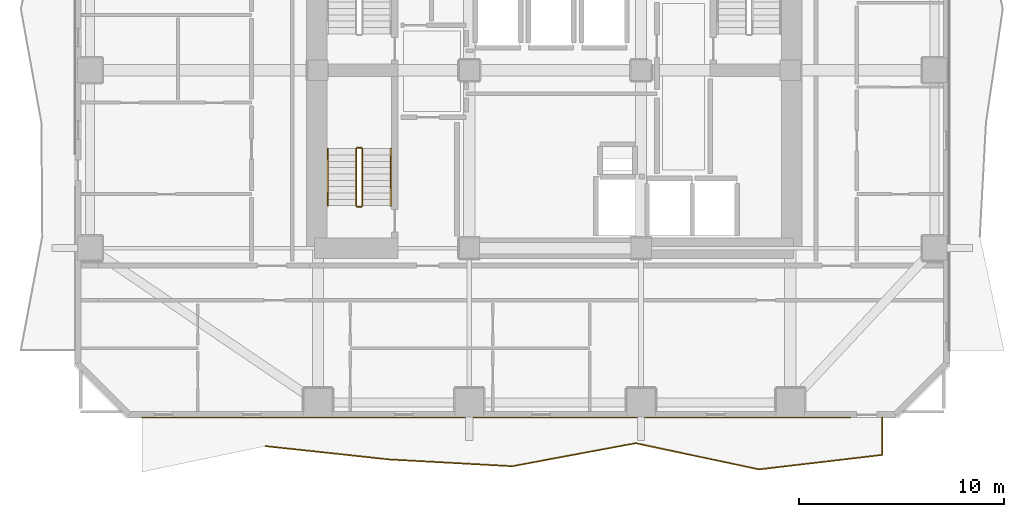
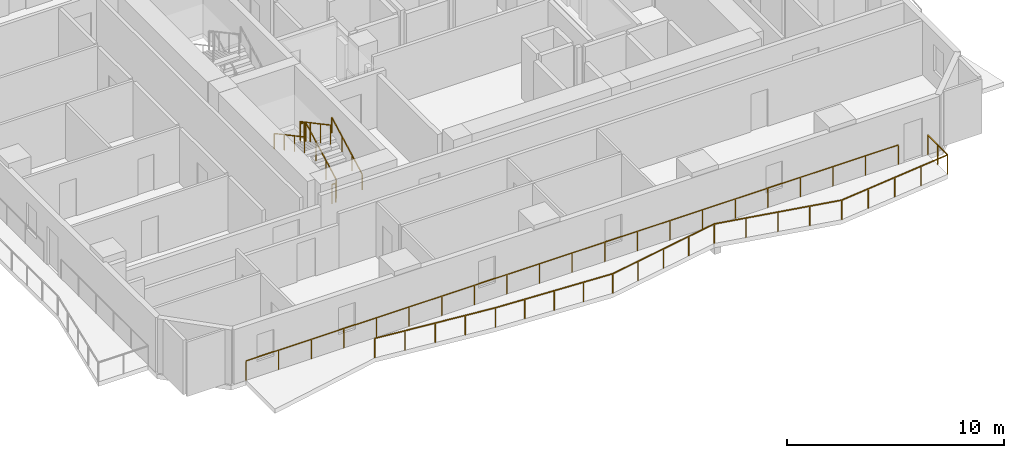
# One storey, part 7 of 10: 8 railings.
"""IFC4 building model written with IfcOpenShell, lengths in metres."""

from ifc_helpers import new_model, si_unit, direction, frame, origin, origin_2d, place, context, subcontext, project, spatial, rectangle, extrude, material, type_object, element, save


model = new_model("IFC4")

# Units and contexts
model_context = context("Model", 3, precision=1e-05, world=origin(), true_north=direction((0.0, 1.0)))
body_context = subcontext(model_context, "Body", "Model", "MODEL_VIEW")
ifc_project = project(units=[si_unit("LENGTHUNIT", "METRE"), si_unit("AREAUNIT", "SQUARE_METRE"), si_unit("VOLUMEUNIT", "CUBIC_METRE"), si_unit("PLANEANGLEUNIT", "RADIAN"), si_unit("MASSUNIT", "GRAM", prefix="KILO")], contexts=[model_context])

# Site, building, storey
site_placement = place(None, origin())
site = spatial("IfcSite", under=ifc_project, at=site_placement, CompositionType="ELEMENT")
building_placement = place(site_placement, origin())
building = spatial("IfcBuilding", under=site, at=building_placement, Name="Solanera Arch Residences", CompositionType="ELEMENT")
storey_placement = place(building_placement, frame((0.0, 0.0, 99.43994140625)))
storey = spatial("IfcBuildingStorey", under=building, at=storey_placement, Name="L28", CompositionType="ELEMENT", Elevation=99.43994140625)

# Railings
ifc_material_1 = material(Name="Steel S355 (ASTM A992 / A572 Grade 50)", Category="steel")
railing_type_1 = type_object("IfcRailingType", Name="Balustrade Railing BL-1100", PredefinedType="BALUSTRADE", material=ifc_material_1)
railing_1_placement = place(storey_placement, frame((10.8330078125, 12.318115234375, 0.0)))
element("IfcRailing", 1, at=railing_1_placement, inside=storey, type_object=railing_type_1, Name="L28 S Balcony Balustrade 1", PredefinedType="BALUSTRADE", context=body_context, shape_type="SweptSolid", body=[
    extrude(rectangle(XDim=0.048095703125, YDim=0.048095703125, at=origin_2d()), frame((0.0, 0.0, 1.09619140625), z_axis=(0.994228057323, -0.107287324656, 0.0), x_axis=(0.107287324656, 0.994228057323, 0.0)), (0.0, 0.0, 1.0), 6.06884765625),
    extrude(rectangle(XDim=0.048095703125, YDim=0.048095703125, at=origin_2d()), frame((6.033935546875, -0.651123046875, 1.09619140625), z_axis=(0.998488939187, -0.054953055615, 0.0), x_axis=(0.054953055615, 0.998488939187, 0.0)), (0.0, 0.0, 1.0), 6.0419921875),
    extrude(rectangle(XDim=0.048095703125, YDim=0.048095703125, at=origin_2d()), frame((12.06689453125, -0.983154296875, 1.09619140625), z_axis=(0.983026753889, 0.183462260802, 0.0), x_axis=(-0.183462260802, 0.983026753889, 0.0)), (0.0, 0.0, 1.0), 6.137451171875),
    extrude(rectangle(XDim=0.048095703125, YDim=0.048095703125, at=origin_2d()), frame((18.10009765625, 0.142822265625, 1.09619140625), z_axis=(0.978198566035, -0.207671773255, 0.0), x_axis=(0.207671773255, 0.978198566035, 0.0)), (0.0, 0.0, 1.0), 6.16845703125),
    extrude(rectangle(XDim=0.048095703125, YDim=0.048095703125, at=origin_2d()), frame((24.134033203125, -1.13818359375, 1.09619140625), z_axis=(0.993165410854, 0.116715323262, 0.0), x_axis=(-0.116715323262, 0.993165410854, 0.0)), (0.0, 0.0, 1.0), 6.074462890625),
    extrude(rectangle(XDim=0.048095703125, YDim=0.048095703125, at=origin_2d()), frame((30.1669921875, -0.42919921875, 1.09619140625), z_axis=(0.0, 1.0, 0.0), x_axis=(-1.0, 0.0, 0.0)), (0.0, 0.0, 1.0), 1.8310546875),
    extrude(rectangle(XDim=0.0419921875, YDim=0.0419921875, at=origin_2d()), origin(), (0.0, 0.0, 1.0), 1.072021484375),
    extrude(rectangle(XDim=0.0419921875, YDim=0.0419921875, at=origin_2d()), frame((1.508544921875, -0.162841796875, 0.0)), (0.0, 0.0, 1.0), 1.072021484375),
    extrude(rectangle(XDim=0.0419921875, YDim=0.0419921875, at=origin_2d()), frame((3.01708984375, -0.32568359375, 0.0)), (0.0, 0.0, 1.0), 1.072021484375),
    extrude(rectangle(XDim=0.0419921875, YDim=0.0419921875, at=origin_2d()), frame((4.525390625, -0.48828125, 0.0)), (0.0, 0.0, 1.0), 1.072021484375),
    extrude(rectangle(XDim=0.0419921875, YDim=0.0419921875, at=origin_2d()), frame((6.033935546875, -0.651123046875, 0.0)), (0.0, 0.0, 1.0), 1.072021484375),
    extrude(rectangle(XDim=0.0419921875, YDim=0.0419921875, at=origin_2d()), frame((7.542236328125, -0.734130859375, 0.0)), (0.0, 0.0, 1.0), 1.072021484375),
    extrude(rectangle(XDim=0.0419921875, YDim=0.0419921875, at=origin_2d()), frame((9.05029296875, -0.817138671875, 0.0)), (0.0, 0.0, 1.0), 1.072021484375),
    extrude(rectangle(XDim=0.0419921875, YDim=0.0419921875, at=origin_2d()), frame((10.55859375, -0.900146484375, 0.0)), (0.0, 0.0, 1.0), 1.072021484375),
    extrude(rectangle(XDim=0.0419921875, YDim=0.0419921875, at=origin_2d()), frame((12.06689453125, -0.983154296875, 0.0)), (0.0, 0.0, 1.0), 1.072021484375),
    extrude(rectangle(XDim=0.0419921875, YDim=0.0419921875, at=origin_2d()), frame((13.5751953125, -0.70166015625, 0.0)), (0.0, 0.0, 1.0), 1.072021484375),
    extrude(rectangle(XDim=0.0419921875, YDim=0.0419921875, at=origin_2d()), frame((15.08349609375, -0.420166015625, 0.0)), (0.0, 0.0, 1.0), 1.072021484375),
    extrude(rectangle(XDim=0.0419921875, YDim=0.0419921875, at=origin_2d()), frame((16.591796875, -0.138671875, 0.0)), (0.0, 0.0, 1.0), 1.072021484375),
    extrude(rectangle(XDim=0.0419921875, YDim=0.0419921875, at=origin_2d()), frame((18.10009765625, 0.142822265625, 0.0)), (0.0, 0.0, 1.0), 1.072021484375),
    extrude(rectangle(XDim=0.0419921875, YDim=0.0419921875, at=origin_2d()), frame((19.608642578125, -0.177490234375, 0.0)), (0.0, 0.0, 1.0), 1.072021484375),
    extrude(rectangle(XDim=0.0419921875, YDim=0.0419921875, at=origin_2d()), frame((21.1171875, -0.49755859375, 0.0)), (0.0, 0.0, 1.0), 1.072021484375),
    extrude(rectangle(XDim=0.0419921875, YDim=0.0419921875, at=origin_2d()), frame((22.62548828125, -0.81787109375, 0.0)), (0.0, 0.0, 1.0), 1.072021484375),
    extrude(rectangle(XDim=0.0419921875, YDim=0.0419921875, at=origin_2d()), frame((24.134033203125, -1.13818359375, 0.0)), (0.0, 0.0, 1.0), 1.072021484375),
    extrude(rectangle(XDim=0.0419921875, YDim=0.0419921875, at=origin_2d()), frame((25.642333984375, -0.9609375, 0.0)), (0.0, 0.0, 1.0), 1.072021484375),
    extrude(rectangle(XDim=0.0419921875, YDim=0.0419921875, at=origin_2d()), frame((27.150390625, -0.78369140625, 0.0)), (0.0, 0.0, 1.0), 1.072021484375),
    extrude(rectangle(XDim=0.0419921875, YDim=0.0419921875, at=origin_2d()), frame((28.65869140625, -0.6064453125, 0.0)), (0.0, 0.0, 1.0), 1.072021484375),
    extrude(rectangle(XDim=0.0419921875, YDim=0.0419921875, at=origin_2d()), frame((30.1669921875, -0.42919921875, 0.0)), (0.0, 0.0, 1.0), 1.072021484375),
    extrude(rectangle(XDim=0.0419921875, YDim=0.0419921875, at=origin_2d()), frame((30.1669921875, 0.486328125, 0.0)), (0.0, 0.0, 1.0), 1.072021484375),
    extrude(rectangle(XDim=0.0419921875, YDim=0.0419921875, at=origin_2d()), frame((30.1669921875, 1.40185546875, 0.0)), (0.0, 0.0, 1.0), 1.072021484375),
])
railing_2_placement = place(storey_placement, frame((39.43408203125, 13.719970703125, 0.0)))
element("IfcRailing", 2, at=railing_2_placement, inside=storey, type_object=railing_type_1, Name="L28 S Balcony Balustrade 2", PredefinedType="BALUSTRADE", context=body_context, shape_type="SweptSolid", body=[
    extrude(rectangle(XDim=0.048095703125, YDim=0.048095703125, at=origin_2d()), frame((0.0, 0.0, 1.09619140625), z_axis=(-1.0, 0.0, 0.0), x_axis=(0.0, -1.0, 0.0)), (0.0, 0.0, 1.0), 34.634033203125),
    extrude(rectangle(XDim=0.0419921875, YDim=0.0419921875, at=origin_2d()), origin(), (0.0, 0.0, 1.0), 1.072021484375),
    extrude(rectangle(XDim=0.0419921875, YDim=0.0419921875, at=origin_2d()), frame((-1.731689453125, 0.0, 0.0)), (0.0, 0.0, 1.0), 1.072021484375),
    extrude(rectangle(XDim=0.0419921875, YDim=0.0419921875, at=origin_2d()), frame((-3.46337890625, 0.0, 0.0)), (0.0, 0.0, 1.0), 1.072021484375),
    extrude(rectangle(XDim=0.0419921875, YDim=0.0419921875, at=origin_2d()), frame((-5.195068359375, 0.0, 0.0)), (0.0, 0.0, 1.0), 1.072021484375),
    extrude(rectangle(XDim=0.0419921875, YDim=0.0419921875, at=origin_2d()), frame((-6.9267578125, 0.0, 0.0)), (0.0, 0.0, 1.0), 1.072021484375),
    extrude(rectangle(XDim=0.0419921875, YDim=0.0419921875, at=origin_2d()), frame((-8.658447265625, 0.0, 0.0)), (0.0, 0.0, 1.0), 1.072021484375),
    extrude(rectangle(XDim=0.0419921875, YDim=0.0419921875, at=origin_2d()), frame((-10.39013671875, 0.0, 0.0)), (0.0, 0.0, 1.0), 1.072021484375),
    extrude(rectangle(XDim=0.0419921875, YDim=0.0419921875, at=origin_2d()), frame((-12.121826171875, 0.0, 0.0)), (0.0, 0.0, 1.0), 1.072021484375),
    extrude(rectangle(XDim=0.0419921875, YDim=0.0419921875, at=origin_2d()), frame((-13.853515625, 0.0, 0.0)), (0.0, 0.0, 1.0), 1.072021484375),
    extrude(rectangle(XDim=0.0419921875, YDim=0.0419921875, at=origin_2d()), frame((-15.585205078125, 0.0, 0.0)), (0.0, 0.0, 1.0), 1.072021484375),
    extrude(rectangle(XDim=0.0419921875, YDim=0.0419921875, at=origin_2d()), frame((-17.31689453125, 0.0, 0.0)), (0.0, 0.0, 1.0), 1.072021484375),
    extrude(rectangle(XDim=0.0419921875, YDim=0.0419921875, at=origin_2d()), frame((-19.048828125, 0.0, 0.0)), (0.0, 0.0, 1.0), 1.072021484375),
    extrude(rectangle(XDim=0.0419921875, YDim=0.0419921875, at=origin_2d()), frame((-20.780517578125, 0.0, 0.0)), (0.0, 0.0, 1.0), 1.072021484375),
    extrude(rectangle(XDim=0.0419921875, YDim=0.0419921875, at=origin_2d()), frame((-22.51220703125, 0.0, 0.0)), (0.0, 0.0, 1.0), 1.072021484375),
    extrude(rectangle(XDim=0.0419921875, YDim=0.0419921875, at=origin_2d()), frame((-24.243896484375, 0.0, 0.0)), (0.0, 0.0, 1.0), 1.072021484375),
    extrude(rectangle(XDim=0.0419921875, YDim=0.0419921875, at=origin_2d()), frame((-25.9755859375, 0.0, 0.0)), (0.0, 0.0, 1.0), 1.072021484375),
    extrude(rectangle(XDim=0.0419921875, YDim=0.0419921875, at=origin_2d()), frame((-27.707275390625, 0.0, 0.0)), (0.0, 0.0, 1.0), 1.072021484375),
    extrude(rectangle(XDim=0.0419921875, YDim=0.0419921875, at=origin_2d()), frame((-29.43896484375, 0.0, 0.0)), (0.0, 0.0, 1.0), 1.072021484375),
    extrude(rectangle(XDim=0.0419921875, YDim=0.0419921875, at=origin_2d()), frame((-31.170654296875, 0.0, 0.0)), (0.0, 0.0, 1.0), 1.072021484375),
    extrude(rectangle(XDim=0.0419921875, YDim=0.0419921875, at=origin_2d()), frame((-32.90234375, 0.0, 0.0)), (0.0, 0.0, 1.0), 1.072021484375),
    extrude(rectangle(XDim=0.0419921875, YDim=0.0419921875, at=origin_2d()), frame((-34.634033203125, 0.0, 0.0)), (0.0, 0.0, 1.0), 1.072021484375),
])
ifc_material_2 = material(Name="Steel S355 (ASTM A992 / A572 Grade 50)", Category="steel")
railing_type_2 = type_object("IfcRailingType", Name="Stair Guardrail GR-1100", PredefinedType="GUARDRAIL", material=ifc_material_2)
railing_3_placement = place(storey_placement, frame((15.570068359375, 24.080078125, 0.151123046875)))
element("IfcRailing", 3, at=railing_3_placement, inside=storey, type_object=railing_type_2, Name="L28 ST-T3 stair guard 1", PredefinedType="GUARDRAIL", context=body_context, shape_type="SweptSolid", body=[
    extrude(rectangle(XDim=0.048095703125, YDim=0.048095703125, at=origin_2d()), frame((0.0, 0.0, 1.076171875), z_axis=(0.0, 0.881580869306, 0.472033018838), x_axis=(-1.0, 0.0, 0.0)), (0.0, 0.0, 1.0), 3.164794921875),
    extrude(rectangle(XDim=0.0419921875, YDim=0.0419921875, at=origin_2d()), origin(), (0.0, 0.0, 1.0), 1.052001953125),
    extrude(rectangle(XDim=0.0419921875, YDim=0.0419921875, at=origin_2d()), frame((0.0, 0.929931640625, 0.498046875)), (0.0, 0.0, 1.0), 1.052001953125),
    extrude(rectangle(XDim=0.0419921875, YDim=0.0419921875, at=origin_2d()), frame((0.0, 1.860107421875, 0.995849609375)), (0.0, 0.0, 1.0), 1.052001953125),
    extrude(rectangle(XDim=0.0419921875, YDim=0.0419921875, at=origin_2d()), frame((0.0, 2.7900390625, 1.493896484375)), (0.0, 0.0, 1.0), 1.052001953125),
])
railing_4_placement = place(storey_placement, frame((15.52001953125, 26.919921875, 1.64501953125)))
element("IfcRailing", 4, at=railing_4_placement, inside=storey, type_object=railing_type_2, Name="L28 ST-T3 stair guard 2", PredefinedType="GUARDRAIL", context=body_context, shape_type="SweptSolid", body=[
    extrude(rectangle(XDim=0.048095703125, YDim=0.048095703125, at=origin_2d()), frame((0.0, 0.0, 1.076171875), z_axis=(-1.0, 0.0, 0.0), x_axis=(0.0, -1.0, 0.0)), (0.0, 0.0, 1.0), 0.199951171875),
    extrude(rectangle(XDim=0.0419921875, YDim=0.0419921875, at=origin_2d()), origin(), (0.0, 0.0, 1.0), 1.052001953125),
    extrude(rectangle(XDim=0.0419921875, YDim=0.0419921875, at=origin_2d()), frame((-0.199951171875, 0.0, 0.0)), (0.0, 0.0, 1.0), 1.052001953125),
])
railing_5_placement = place(storey_placement, frame((15.27001953125, 26.8701171875, 1.81103515625)))
element("IfcRailing", 5, at=railing_5_placement, inside=storey, type_object=railing_type_2, Name="L28 ST-T3 stair guard 3", PredefinedType="GUARDRAIL", context=body_context, shape_type="SweptSolid", body=[
    extrude(rectangle(XDim=0.048095703125, YDim=0.048095703125, at=origin_2d()), frame((0.0, 0.0, 1.076171875), z_axis=(0.0, -0.881548766853, 0.472092969298), x_axis=(1.0, 0.0, 0.0)), (0.0, 0.0, 1.0), 3.1650390625),
    extrude(rectangle(XDim=0.0419921875, YDim=0.0419921875, at=origin_2d()), origin(), (0.0, 0.0, 1.0), 1.052001953125),
    extrude(rectangle(XDim=0.0419921875, YDim=0.0419921875, at=origin_2d()), frame((0.0, -0.929931640625, 0.498046875)), (0.0, 0.0, 1.0), 1.052001953125),
    extrude(rectangle(XDim=0.0419921875, YDim=0.0419921875, at=origin_2d()), frame((0.0, -1.860107421875, 0.99609375)), (0.0, 0.0, 1.0), 1.052001953125),
    extrude(rectangle(XDim=0.0419921875, YDim=0.0419921875, at=origin_2d()), frame((0.0, -2.7900390625, 1.494140625)), (0.0, 0.0, 1.0), 1.052001953125),
])
railing_6_placement = place(storey_placement, frame((15.52001953125, 24.030029296875, -0.014892578125)))
element("IfcRailing", 6, at=railing_6_placement, inside=storey, type_object=railing_type_2, Name="L28 ST-T3 stair guard 4", PredefinedType="GUARDRAIL", context=body_context, shape_type="SweptSolid", body=[
    extrude(rectangle(XDim=0.048095703125, YDim=0.048095703125, at=origin_2d()), frame((0.0, 0.0, 1.076171875), z_axis=(-1.0, 0.0, 0.0), x_axis=(0.0, -1.0, 0.0)), (0.0, 0.0, 1.0), 0.199951171875),
    extrude(rectangle(XDim=0.0419921875, YDim=0.0419921875, at=origin_2d()), origin(), (0.0, 0.0, 1.0), 1.052001953125),
    extrude(rectangle(XDim=0.0419921875, YDim=0.0419921875, at=origin_2d()), frame((-0.199951171875, 0.0, 0.0)), (0.0, 0.0, 1.0), 1.052001953125),
])
ifc_material_3 = material(Name="Steel S355 (ASTM A992 / A572 Grade 50)", Category="steel")
railing_type_3 = type_object("IfcRailingType", Name="Stair Wall Handrail HR-920", PredefinedType="HANDRAIL", material=ifc_material_3)
railing_7_placement = place(storey_placement, frame((16.949951171875, 24.080078125, 0.166015625)))
element("IfcRailing", 7, at=railing_7_placement, inside=storey, type_object=railing_type_3, Name="L28 ST-T3 stair handrail 1", PredefinedType="HANDRAIL", context=body_context, shape_type="SweptSolid", body=[
    extrude(rectangle(XDim=0.048095703125, YDim=0.048095703125, at=origin_2d()), frame((0.0, 0.0, 0.8759765625), z_axis=(0.0, 0.881548766853, 0.472092969298), x_axis=(-1.0, 0.0, 0.0)), (0.0, 0.0, 1.0), 3.1650390625),
    extrude(rectangle(XDim=0.0419921875, YDim=0.0419921875, at=origin_2d()), origin(), (0.0, 0.0, 1.0), 0.851806640625),
    extrude(rectangle(XDim=0.0419921875, YDim=0.0419921875, at=origin_2d()), frame((0.0, 0.929931640625, 0.498046875)), (0.0, 0.0, 1.0), 0.851806640625),
    extrude(rectangle(XDim=0.0419921875, YDim=0.0419921875, at=origin_2d()), frame((0.0, 1.860107421875, 0.99609375)), (0.0, 0.0, 1.0), 0.851806640625),
    extrude(rectangle(XDim=0.0419921875, YDim=0.0419921875, at=origin_2d()), frame((0.0, 2.7900390625, 1.494140625)), (0.0, 0.0, 1.0), 0.851806640625),
])
railing_8_placement = place(storey_placement, frame((13.889892578125, 26.8701171875, 1.826171875)))
element("IfcRailing", 8, at=railing_8_placement, inside=storey, type_object=railing_type_3, Name="L28 ST-T3 stair handrail 2", PredefinedType="HANDRAIL", context=body_context, shape_type="SweptSolid", body=[
    extrude(rectangle(XDim=0.048095703125, YDim=0.048095703125, at=origin_2d()), frame((0.0, 0.0, 0.8759765625), z_axis=(0.0, -0.881580869306, 0.472033018838), x_axis=(1.0, 0.0, 0.0)), (0.0, 0.0, 1.0), 3.164794921875),
    extrude(rectangle(XDim=0.0419921875, YDim=0.0419921875, at=origin_2d()), origin(), (0.0, 0.0, 1.0), 0.851806640625),
    extrude(rectangle(XDim=0.0419921875, YDim=0.0419921875, at=origin_2d()), frame((0.0, -0.929931640625, 0.498046875)), (0.0, 0.0, 1.0), 0.851806640625),
    extrude(rectangle(XDim=0.0419921875, YDim=0.0419921875, at=origin_2d()), frame((0.0, -1.860107421875, 0.995849609375)), (0.0, 0.0, 1.0), 0.851806640625),
    extrude(rectangle(XDim=0.0419921875, YDim=0.0419921875, at=origin_2d()), frame((0.0, -2.7900390625, 1.493896484375)), (0.0, 0.0, 1.0), 0.851806640625),
])

save(model, "model.ifc")
